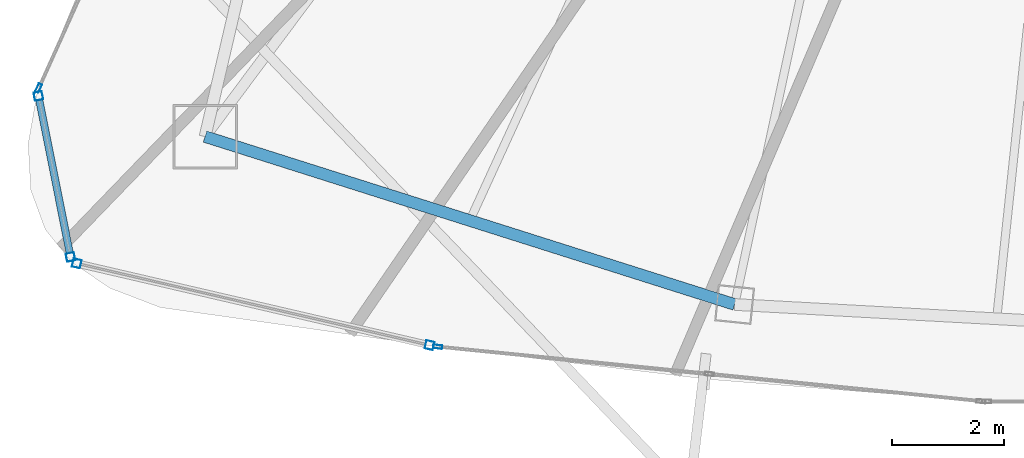
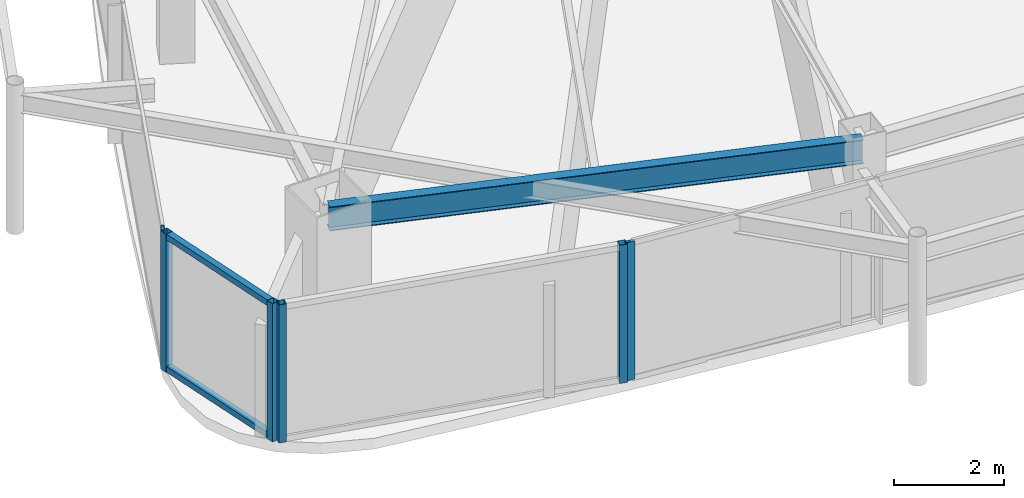
# One storey, part 2 of 28: 8 members, 1 beam, 4 elements without a shape of their own.
"""IFC4 building model written with IfcOpenShell, lengths in metres."""

from ifc_helpers import new_model, si_unit, direction, frame, origin, origin_2d, place, context, subcontext, project, spatial, hollow_rectangle, i_section, extrude, material, layer, layer_set, material_profile, profile_set, type_object, element, aggregate, save


model = new_model("IFC4")

# Units and contexts
model_context = context("Model", 3, precision=1e-05, world=origin(), true_north=direction((0.0, 1.0)))
body_context = subcontext(model_context, "Body", "Model", "MODEL_VIEW")
ifc_project = project(units=[si_unit("LENGTHUNIT", "METRE"), si_unit("AREAUNIT", "SQUARE_METRE"), si_unit("VOLUMEUNIT", "CUBIC_METRE"), si_unit("PLANEANGLEUNIT", "RADIAN"), si_unit("MASSUNIT", "GRAM", prefix="KILO")], contexts=[model_context])

# Site, building, storey
site_placement = place(None, origin())
site = spatial("IfcSite", under=ifc_project, at=site_placement, CompositionType="ELEMENT")
building_placement = place(site_placement, origin())
building = spatial("IfcBuilding", under=site, at=building_placement, Name="Orvanel Arch Residences", CompositionType="ELEMENT")
storey_placement = place(building_placement, frame((0.0, 0.0, 260.14990234375)))
storey = spatial("IfcBuildingStorey", under=building, at=storey_placement, Name="L74", CompositionType="ELEMENT", Elevation=260.14990234375)

# Curtain wall, members
ifc_material_1 = material(Name="Bronze-anodised aluminium AA6063-T6", Category="aluminium")
ifc_layer_1 = layer(ifc_material_1, 0.18994140625)
ifc_layer_set_1 = layer_set([ifc_layer_1], Name="Bronze-anodised aluminium AA6063-T6")
curtain_wall_type_1 = type_object("IfcCurtainWallType", Name="CW5-CRN-SYS", PredefinedType="NOTDEFINED", material=ifc_layer_set_1)
curtain_wall_1_placement = place(storey_placement, origin())
curtain_wall_1 = element("IfcCurtainWall", 1, at=curtain_wall_1_placement, inside=storey, type_object=curtain_wall_type_1, Name="L74 CW5-CRN-SYS Unitised Curtain Wall", PredefinedType="NOTDEFINED")
ifc_material_profile_1 = material_profile(ifc_material_1, hollow_rectangle(XDim=0.14990234375, YDim=0.14990234375, WallThickness=0.0048828125, at=origin_2d()), Name="ALU150x150x5")
ifc_profile_set_1 = profile_set([ifc_material_profile_1], Name="Bronze-anodised aluminium AA6063-T6")
member_type_1 = type_object("IfcMemberType", Name="MUL-150x150", PredefinedType="MULLION", material=ifc_profile_set_1)
member_1_placement = place(storey_placement, frame((11.2265625, 11.074462890625, 0.0), z_axis=(0.0, 0.0, 1.0), x_axis=(0.980692959243, 0.195553879253, 0.0)))
member_1 = element("IfcMember", 2, at=member_1_placement, type_object=member_type_1, Name="CW-S5 mullion 1", PredefinedType="MULLION", context=body_context, shape_type="SweptSolid", body=[
    extrude(hollow_rectangle(XDim=0.14990234375, YDim=0.14990234375, WallThickness=0.0048828125, at=origin_2d()), origin(), (0.0, 0.0, 1.0), 3.06005859375),
])
member_2_placement = place(storey_placement, frame((11.79931640625, 8.20263671875, 0.0), z_axis=(0.0, 0.0, 1.0), x_axis=(0.980692959243, 0.195553879253, 0.0)))
member_2 = element("IfcMember", 3, at=member_2_placement, type_object=member_type_1, Name="CW-S5 mullion 2", PredefinedType="MULLION", context=body_context, shape_type="SweptSolid", body=[
    extrude(hollow_rectangle(XDim=0.14990234375, YDim=0.14990234375, WallThickness=0.0048828125, at=origin_2d()), origin(), (0.0, 0.0, 1.0), 3.06005859375),
])

curtain_wall_2_placement = place(storey_placement, origin())
curtain_wall_2 = element("IfcCurtainWall", 4, at=curtain_wall_2_placement, inside=storey, type_object=curtain_wall_type_1, Name="L74 CW5-CRN-SYS Unitised Curtain Wall", PredefinedType="NOTDEFINED")
member_3_placement = place(storey_placement, frame((11.91015625, 8.087158203125, 0.0), z_axis=(0.0, 0.0, 1.0), x_axis=(0.225919598226, 0.974145951661, 0.0)))
member_3 = element("IfcMember", 5, at=member_3_placement, type_object=member_type_1, Name="CW-S5 mullion 1", PredefinedType="MULLION", context=body_context, shape_type="SweptSolid", body=[
    extrude(hollow_rectangle(XDim=0.14990234375, YDim=0.14990234375, WallThickness=0.0048828125, at=origin_2d()), origin(), (0.0, 0.0, 1.0), 3.06005859375),
])
member_4_placement = place(storey_placement, frame((18.2060546875, 6.626953125, 0.0), z_axis=(0.0, 0.0, 1.0), x_axis=(0.225919598226, 0.974145951661, 0.0)))
member_4 = element("IfcMember", 6, at=member_4_placement, type_object=member_type_1, Name="CW-S5 mullion 2", PredefinedType="MULLION", context=body_context, shape_type="SweptSolid", body=[
    extrude(hollow_rectangle(XDim=0.14990234375, YDim=0.14990234375, WallThickness=0.0048828125, at=origin_2d()), origin(), (0.0, 0.0, 1.0), 3.06005859375),
])
aggregate(curtain_wall_2, [member_3, member_4])

# Curtain wall, member
ifc_layer_2 = layer(ifc_material_1, 0.175048828125)
ifc_layer_set_2 = layer_set([ifc_layer_2], Name="Bronze-anodised aluminium AA6063-T6")
curtain_wall_type_2 = type_object("IfcCurtainWallType", Name="CW4-HI-SYS", PredefinedType="NOTDEFINED", material=ifc_layer_set_2)
curtain_wall_3_placement = place(storey_placement, origin())
curtain_wall_3 = element("IfcCurtainWall", 7, at=curtain_wall_3_placement, inside=storey, type_object=curtain_wall_type_2, Name="L74 CW4-HI-SYS Unitised Curtain Wall", PredefinedType="NOTDEFINED")
ifc_material_profile_2 = material_profile(ifc_material_1, hollow_rectangle(XDim=0.06494140625, YDim=0.159912109375, WallThickness=0.00390625, at=origin_2d()), Name="ALU160x65x4")
ifc_profile_set_2 = profile_set([ifc_material_profile_2], Name="Bronze-anodised aluminium AA6063-T6")
member_type_2 = type_object("IfcMemberType", Name="MUL-160x65", PredefinedType="MULLION", material=ifc_profile_set_2)
member_5_placement = place(storey_placement, frame((11.229248046875, 11.215576171875, 0.0), z_axis=(0.0, 0.0, 1.0), x_axis=(0.912050087349, -0.410078819456, 0.0)))
member_5 = element("IfcMember", 8, at=member_5_placement, type_object=member_type_2, Name="CW-S4 mullion 3", PredefinedType="MULLION", context=body_context, shape_type="SweptSolid", body=[
    extrude(hollow_rectangle(XDim=0.06494140625, YDim=0.159912109375, WallThickness=0.00390625, at=origin_2d()), origin(), (0.0, 0.0, 1.0), 3.06005859375),
])
aggregate(curtain_wall_3, [member_5])

curtain_wall_4_placement = place(storey_placement, origin())
curtain_wall_4 = element("IfcCurtainWall", 9, at=curtain_wall_4_placement, inside=storey, type_object=curtain_wall_type_2, Name="L74 CW4-HI-SYS Unitised Curtain Wall", PredefinedType="NOTDEFINED")
member_6_placement = place(storey_placement, frame((18.350341796875, 6.599853515625, 0.0), z_axis=(0.0, 0.0, 1.0), x_axis=(0.099796405352, 0.995007878099, 0.0)))
member_6 = element("IfcMember", 10, at=member_6_placement, type_object=member_type_2, Name="CW-S4 mullion 1", PredefinedType="MULLION", context=body_context, shape_type="SweptSolid", body=[
    extrude(hollow_rectangle(XDim=0.06494140625, YDim=0.159912109375, WallThickness=0.00390625, at=origin_2d()), origin(), (0.0, 0.0, 1.0), 3.06005859375),
])
aggregate(curtain_wall_4, [member_6])

# Beam
ifc_material_2 = material(Name="Structural steel AS/NZS 3679.1 Grade 300 (300 MPa)", Category="steel")
ifc_material_profile_3 = material_profile(ifc_material_2, i_section(OverallWidth=0.208984375, OverallDepth=0.532958984375, WebThickness=0.01025390625, FlangeThickness=0.015625, at=origin_2d()), Name="530UB92.4")
ifc_profile_set_3 = profile_set([ifc_material_profile_3], Name="Structural steel AS/NZS 3679.1 Grade 300 (300 MPa)")
beam_type = type_object("IfcBeamType", Name="SP-530UB", PredefinedType="SPANDREL", material=ifc_profile_set_3)
beam_placement = place(storey_placement, frame((14.198974609375, 10.35107421875, 2.793212890625), z_axis=(0.953237386592, -0.302222574941, 0.0), x_axis=(0.302222574941, 0.953237386592, 0.0)))
element("IfcBeam", 11, at=beam_placement, inside=storey, type_object=beam_type, Name="L74 Perimeter Spandrel Beam 02", PredefinedType="SPANDREL", context=body_context, shape_type="SweptSolid", body=[
    extrude(i_section(OverallWidth=0.208984375, OverallDepth=0.532958984375, WebThickness=0.01025390625, FlangeThickness=0.015625, at=origin_2d()), origin(), (0.0, 0.0, 1.0), 9.91357421875),
])

# Member
ifc_material_profile_4 = material_profile(ifc_material_1, hollow_rectangle(XDim=0.1298828125, YDim=0.1298828125, WallThickness=0.00439453125, at=origin_2d()), Name="ALU130x130x4.5")
ifc_profile_set_4 = profile_set([ifc_material_profile_4], Name="Bronze-anodised aluminium AA6063-T6")
member_type_3 = type_object("IfcMemberType", Name="TRN-130x130", PredefinedType="USERDEFINED", material=ifc_profile_set_4)
member_7_placement = place(storey_placement, frame((11.241455078125, 11.0009765625, 0.065185546875), z_axis=(0.195507775885, -0.980702151302, 0.0), x_axis=(0.980702151302, 0.195507775885, 0.0)))
member_7 = element("IfcMember", 12, at=member_7_placement, type_object=member_type_3, Name="CW-S5 transom 1.1", ObjectType="TRANSOM", PredefinedType="USERDEFINED", context=body_context, shape_type="SweptSolid", body=[
    extrude(hollow_rectangle(XDim=0.1298828125, YDim=0.1298828125, WallThickness=0.00439453125, at=origin_2d()), origin(), (0.0, 0.0, 1.0), 2.778564453125),
])

member_8_placement = place(storey_placement, frame((11.241455078125, 11.0009765625, 2.9951171875), z_axis=(0.195507775885, -0.980702151302, 0.0), x_axis=(0.980702151302, 0.195507775885, 0.0)))
member_8 = element("IfcMember", 13, at=member_8_placement, type_object=member_type_3, Name="CW-S5 transom 1.2", ObjectType="TRANSOM", PredefinedType="USERDEFINED", context=body_context, shape_type="SweptSolid", body=[
    extrude(hollow_rectangle(XDim=0.1298828125, YDim=0.1298828125, WallThickness=0.00439453125, at=origin_2d()), origin(), (0.0, 0.0, 1.0), 2.778564453125),
])

aggregate(curtain_wall_1, [member_1, member_2, member_7, member_8])

save(model, "model.ifc")
